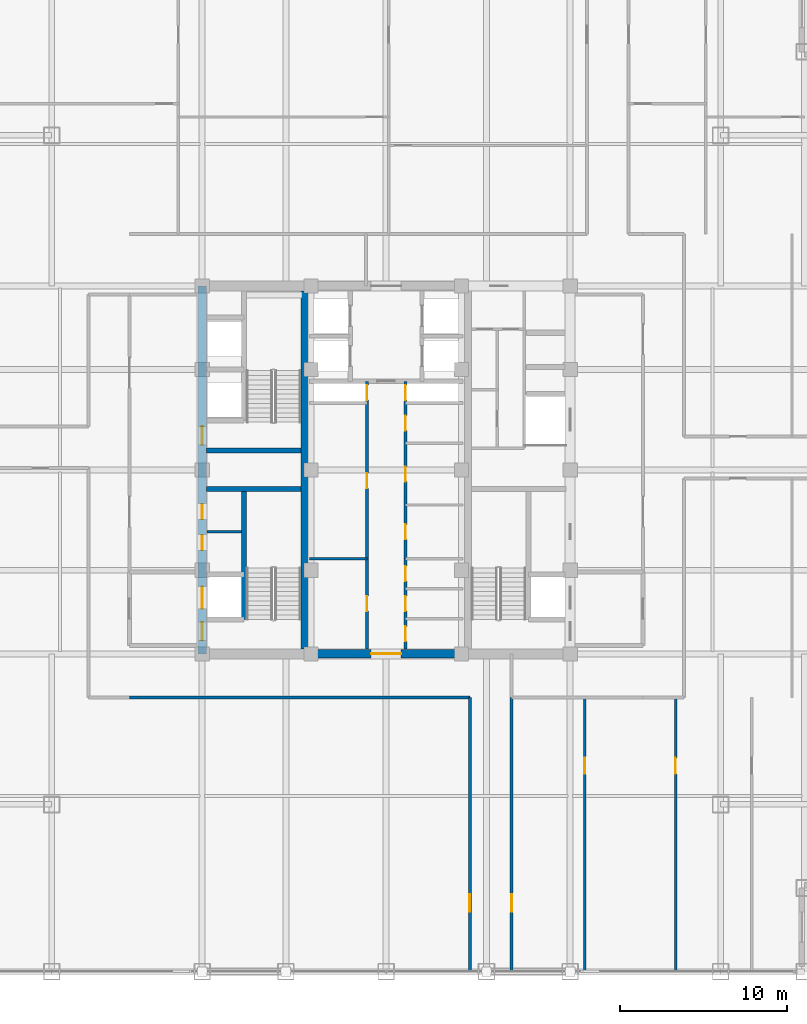
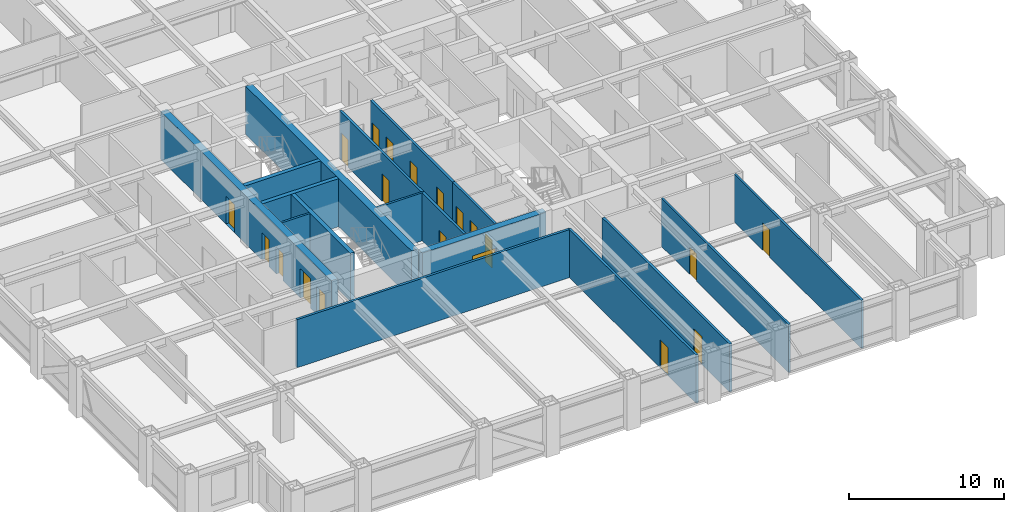
# One storey, part 20 of 25: 20 doors, 17 walls, 20 openings.
"""IFC4 building model written with IfcOpenShell, lengths in metres."""

from ifc_helpers import new_model, si_unit, direction, frame, frame_2d, origin, place, context, subcontext, project, spatial, rectangle, extrude, source, transform, mapped, material, layer, layer_set, type_object, element, fill, save


model = new_model("IFC4")

# Units and contexts
model_context = context("Model", 3, precision=1e-05, world=origin(), true_north=direction((0.0, 1.0)))
body_context = subcontext(model_context, "Body", "Model", "MODEL_VIEW")
ifc_project = project(units=[si_unit("LENGTHUNIT", "METRE"), si_unit("AREAUNIT", "SQUARE_METRE"), si_unit("VOLUMEUNIT", "CUBIC_METRE"), si_unit("PLANEANGLEUNIT", "RADIAN"), si_unit("MASSUNIT", "GRAM", prefix="KILO")], contexts=[model_context])

# Site, building, storey
site_placement = place(None, origin())
site = spatial("IfcSite", under=ifc_project, at=site_placement, CompositionType="ELEMENT")
building_placement = place(site_placement, origin())
building = spatial("IfcBuilding", under=site, at=building_placement, Name="Khorayat Bourse Tower", CompositionType="ELEMENT")
storey_placement = place(building_placement, frame((0.0, 0.0, 223.10009765625)))
storey = spatial("IfcBuildingStorey", under=building, at=storey_placement, Name="L52", CompositionType="ELEMENT", Elevation=223.10009765625)

# Wall
ifc_material_1 = material(Name="Concrete C52/65", Category="concrete")
ifc_layer_1 = layer(ifc_material_1, 0.5)
ifc_layer_set_1 = layer_set([ifc_layer_1], Name="Concrete C52/65")
wall_type_1 = type_object("IfcWallType", Name="WAL-CORE-500", PredefinedType="SHEAR", material=ifc_layer_set_1)
shared_shape_1 = source(origin(), body_context, "Body", "SweptSolid", [
    extrude(rectangle(XDim=21.39990234375, YDim=0.5, at=frame_2d((10.699951171875, 0.0))), origin(), (0.0, 0.0, 1.0), 3.77978515625),
])
wall_1_placement = place(storey_placement, frame((-4.85009765625, -10.699951171875, 0.0), z_axis=(0.0, 0.0, 1.0), x_axis=(0.0, 1.0, 0.0)))
element("IfcWall", 1, at=wall_1_placement, inside=storey, type_object=wall_type_1, Name="L52 Core Shear Wall PIER-W", PredefinedType="SHEAR", context=body_context, shape_type="MappedRepresentation", body=[
    mapped(shared_shape_1, transform((0.0, 0.0, 0.0), scale=1.0)),
])

# Wall, opening, door
shared_shape_2 = source(origin(), body_context, "Body", "SweptSolid", [
    extrude(rectangle(XDim=9.2001953125, YDim=0.5, at=frame_2d((4.60009765625, 0.0))), origin(), (0.0, 0.0, 1.0), 3.77978515625),
])
wall_2_placement = place(storey_placement, frame((-4.60009765625, -11.0, 0.0), z_axis=(0.0, 0.0, 1.0), x_axis=(1.0, 0.0, 0.0)))
wall_2 = element("IfcWall", 2, at=wall_2_placement, inside=storey, type_object=wall_type_1, Name="L52 Core Shear Wall CORE-S", PredefinedType="SHEAR", context=body_context, shape_type="MappedRepresentation", body=[
    mapped(shared_shape_2, transform((0.0, 0.0, 0.0), scale=1.0)),
])
shared_shape_3 = source(origin(), body_context, "Body", "SweptSolid", [
    extrude(rectangle(XDim=1.800048828125, YDim=2.25, at=frame_2d((0.89990234375, 1.125))), frame((0.0, 0.260009765625, 0.0), z_axis=(0.0, -1.0, 0.0), x_axis=(1.0, 0.0, 0.0)), (0.0, 0.0, 1.0), 0.52001953125),
])
opening_1_placement = place(wall_2_placement, frame((3.699951171875, 0.0, 0.0)))
opening_1 = element("IfcOpeningElement", 3, at=opening_1_placement, cuts=wall_2, Name="Opening DI-03", PredefinedType="OPENING", context=body_context, shape_type="MappedRepresentation", body=[
    mapped(shared_shape_3, transform((0.0, 0.0, 0.0), scale=1.0)),
])
ifc_material_2 = material(Name="Fire-rated hardwood vision-panel double leaf", Category="wood")
door_type_1 = type_object("IfcDoorType", Name="DR-INT-CORR-1800", OperationType="NOTDEFINED", PredefinedType="DOOR", material=ifc_material_2)
shared_shape_4 = source(origin(), body_context, "Body", "SweptSolid", [
    extrude(rectangle(XDim=1.800048828125, YDim=2.25, at=frame_2d((0.89990234375, 1.125))), frame((0.0, 0.02490234375, 0.0), z_axis=(0.0, -1.0, 0.0), x_axis=(1.0, 0.0, 0.0)), (0.0, 0.0, 1.0), 0.050048828125),
])
door_1_placement = place(opening_1_placement, origin())
door_1 = element("IfcDoor", 4, at=door_1_placement, inside=storey, type_object=door_type_1, Name="L52 Central Core South Passage Door", OperationType="SINGLE_SWING_LEFT", OverallHeight=2.25, OverallWidth=1.800048828125, PredefinedType="DOOR", context=body_context, shape_type="MappedRepresentation", body=[
    mapped(shared_shape_4, transform((0.0, 0.0, 0.0), scale=1.0)),
])
fill(opening_1, door_1)

# Wall, openings, doors
shared_shape_5 = source(origin(), body_context, "Body", "SweptSolid", [
    extrude(rectangle(XDim=22.0, YDim=0.5, at=frame_2d((11.0, 0.0))), origin(), (0.0, 0.0, 1.0), 3.77978515625),
])
wall_3_placement = place(storey_placement, frame((-11.0, -11.0, 0.0), z_axis=(0.0, 0.0, 1.0), x_axis=(0.0, 1.0, 0.0)))
wall_3 = element("IfcWall", 5, at=wall_3_placement, inside=storey, type_object=wall_type_1, Name="L52 Core Shear Wall CORE-W", PredefinedType="SHEAR", context=body_context, shape_type="MappedRepresentation", body=[
    mapped(shared_shape_5, transform((0.0, 0.0, 0.0), scale=1.0)),
])
shared_shape_6 = source(origin(), body_context, "Body", "SweptSolid", [
    extrude(rectangle(XDim=1.10009765625, YDim=2.199951171875, at=frame_2d((0.550048828125, 1.10009765625))), frame((0.0, 0.260009765625, 0.0), z_axis=(0.0, -1.0, 0.0), x_axis=(1.0, 0.0, 0.0)), (0.0, 0.0, 1.0), 0.52001953125),
])
opening_2_placement = place(wall_3_placement, frame((0.800048828125, 0.0, 0.0)))
opening_2 = element("IfcOpeningElement", 6, at=opening_2_placement, cuts=wall_3, Name="Opening DI-01", PredefinedType="OPENING", context=body_context, shape_type="MappedRepresentation", body=[
    mapped(shared_shape_6, transform((0.0, 0.0, 0.0), scale=1.0)),
])
opening_3_placement = place(wall_3_placement, frame((12.5, 0.0, 0.0)))
opening_3 = element("IfcOpeningElement", 7, at=opening_3_placement, cuts=wall_3, Name="Opening DI-01", PredefinedType="OPENING", context=body_context, shape_type="MappedRepresentation", body=[
    mapped(shared_shape_6, transform((0.0, 0.0, 0.0), scale=1.0)),
])
shared_shape_7 = source(origin(), body_context, "Body", "SweptSolid", [
    extrude(rectangle(XDim=0.89990234375, YDim=2.14990234375, at=frame_2d((0.449951171875, 1.074951171875))), frame((0.0, 0.260009765625, 0.0), z_axis=(0.0, -1.0, 0.0), x_axis=(1.0, 0.0, 0.0)), (0.0, 0.0, 1.0), 0.52001953125),
])
opening_4_placement = place(wall_3_placement, frame((6.199951171875, 0.0, 0.0)))
opening_4 = element("IfcOpeningElement", 8, at=opening_4_placement, cuts=wall_3, Name="Opening DI-06", PredefinedType="OPENING", context=body_context, shape_type="MappedRepresentation", body=[
    mapped(shared_shape_7, transform((0.0, 0.0, 0.0), scale=1.0)),
])
opening_5_placement = place(wall_3_placement, frame((8.050048828125, 0.0, 0.0)))
opening_5 = element("IfcOpeningElement", 9, at=opening_5_placement, cuts=wall_3, Name="Opening DI-06", PredefinedType="OPENING", context=body_context, shape_type="MappedRepresentation", body=[
    mapped(shared_shape_7, transform((0.0, 0.0, 0.0), scale=1.0)),
])
shared_shape_8 = source(origin(), body_context, "Body", "SweptSolid", [
    extrude(rectangle(XDim=1.300048828125, YDim=2.300048828125, at=frame_2d((0.64990234375, 1.14990234375))), frame((0.0, 0.260009765625, 0.0), z_axis=(0.0, -1.0, 0.0), x_axis=(1.0, 0.0, 0.0)), (0.0, 0.0, 1.0), 0.52001953125),
])
opening_6_placement = place(wall_3_placement, frame((2.699951171875, 0.0, 0.0)))
opening_6 = element("IfcOpeningElement", 10, at=opening_6_placement, cuts=wall_3, Name="Opening LD-02", PredefinedType="OPENING", context=body_context, shape_type="MappedRepresentation", body=[
    mapped(shared_shape_8, transform((0.0, 0.0, 0.0), scale=1.0)),
])
ifc_material_3 = material(Name="Fire-rated steel acoustic leaf", Category="steel")
door_type_2 = type_object("IfcDoorType", Name="DR-INT-STAIR-1100", OperationType="NOTDEFINED", PredefinedType="DOOR", material=ifc_material_3)
shared_shape_9 = source(origin(), body_context, "Body", "SweptSolid", [
    extrude(rectangle(XDim=1.10009765625, YDim=2.199951171875, at=frame_2d((0.550048828125, 1.10009765625))), frame((0.0, 0.02490234375, 0.0), z_axis=(0.0, -1.0, 0.0), x_axis=(1.0, 0.0, 0.0)), (0.0, 0.0, 1.0), 0.050048828125),
])
door_2_placement = place(opening_2_placement, origin())
door_2 = element("IfcDoor", 11, at=door_2_placement, inside=storey, type_object=door_type_2, Name="L52 Exit Stair 1 Door", OperationType="SINGLE_SWING_RIGHT", OverallHeight=2.199951171875, OverallWidth=1.10009765625, PredefinedType="DOOR", context=body_context, shape_type="MappedRepresentation", body=[
    mapped(shared_shape_9, transform((0.0, 0.0, 0.0), scale=1.0)),
])
fill(opening_2, door_2)
door_3_placement = place(opening_3_placement, origin())
door_3 = element("IfcDoor", 12, at=door_3_placement, inside=storey, type_object=door_type_2, Name="L52 Exit Stair 2 Door", OperationType="SINGLE_SWING_RIGHT", OverallHeight=2.199951171875, OverallWidth=1.10009765625, PredefinedType="DOOR", context=body_context, shape_type="MappedRepresentation", body=[
    mapped(shared_shape_9, transform((0.0, 0.0, 0.0), scale=1.0)),
])
fill(opening_3, door_3)
ifc_material_4 = material(Name="Moisture-resistant laminate washroom door")
door_type_3 = type_object("IfcDoorType", Name="DR-INT-WC-900", OperationType="NOTDEFINED", PredefinedType="DOOR", material=ifc_material_4)
shared_shape_10 = source(origin(), body_context, "Body", "SweptSolid", [
    extrude(rectangle(XDim=0.89990234375, YDim=2.14990234375, at=frame_2d((0.449951171875, 1.074951171875))), frame((0.0, 0.02490234375, 0.0), z_axis=(0.0, -1.0, 0.0), x_axis=(1.0, 0.0, 0.0)), (0.0, 0.0, 1.0), 0.050048828125),
])
door_4_placement = place(opening_4_placement, origin())
door_4 = element("IfcDoor", 13, at=door_4_placement, inside=storey, type_object=door_type_3, Name="L52 Electrical Plant Room Door", OperationType="SINGLE_SWING_RIGHT", OverallHeight=2.14990234375, OverallWidth=0.89990234375, PredefinedType="DOOR", context=body_context, shape_type="MappedRepresentation", body=[
    mapped(shared_shape_10, transform((0.0, 0.0, 0.0), scale=1.0)),
])
fill(opening_4, door_4)
door_5_placement = place(opening_5_placement, origin())
door_5 = element("IfcDoor", 14, at=door_5_placement, inside=storey, type_object=door_type_3, Name="L52 Cleaner Storage Room Door", OperationType="SINGLE_SWING_LEFT", OverallHeight=2.14990234375, OverallWidth=0.89990234375, PredefinedType="DOOR", context=body_context, shape_type="MappedRepresentation", body=[
    mapped(shared_shape_10, transform((0.0, 0.0, 0.0), scale=1.0)),
])
fill(opening_5, door_5)
ifc_material_5 = material(Name="Fire-rated stainless-steel sliding landing door", Category="steel")
door_type_4 = type_object("IfcDoorType", Name="DR-LIFT-FF-1300", OperationType="NOTDEFINED", PredefinedType="DOOR", material=ifc_material_5)
shared_shape_11 = source(origin(), body_context, "Body", "SweptSolid", [
    extrude(rectangle(XDim=1.300048828125, YDim=2.300048828125, at=frame_2d((0.64990234375, 1.14990234375))), frame((0.0, 0.02490234375, 0.0), z_axis=(0.0, -1.0, 0.0), x_axis=(1.0, 0.0, 0.0)), (0.0, 0.0, 1.0), 0.050048828125),
])
door_6_placement = place(opening_6_placement, origin())
door_6 = element("IfcDoor", 15, at=door_6_placement, inside=storey, type_object=door_type_4, Name="L52 Lift FFL-01 Sliding Landing Door", OperationType="SLIDING_TO_LEFT", OverallHeight=2.300048828125, OverallWidth=1.300048828125, PredefinedType="DOOR", context=body_context, shape_type="MappedRepresentation", body=[
    mapped(shared_shape_11, transform((0.0, 0.0, 0.0), scale=1.0)),
])
fill(opening_6, door_6)

# Walls
ifc_material_6 = material(Name="Concrete C50/60", Category="concrete")
ifc_layer_2 = layer(ifc_material_6, 0.300048828125)
ifc_layer_set_2 = layer_set([ifc_layer_2], Name="Concrete C50/60")
wall_type_2 = type_object("IfcWallType", Name="WAL-SHAFT-300", PredefinedType="SHEAR", material=ifc_layer_set_2)
shared_shape_12 = source(origin(), body_context, "Body", "SweptSolid", [
    extrude(rectangle(XDim=5.64990234375, YDim=0.300048828125, at=frame_2d((2.824951171875, 0.0))), origin(), (0.0, 0.0, 1.0), 3.77978515625),
])
for number, where, z_axis, x_axis, name in (
    (16, (-10.75, -1.14990234375, 0.0), (0.0, 0.0, 1.0), (1.0, 0.0, 0.0), "L52 Core Shear Wall ST1-DIV"),
    (17, (-10.75, 1.14990234375, 0.0), (0.0, 0.0, 1.0), (1.0, 0.0, 0.0), "L52 Core Shear Wall ST2-DIV"),
):
    element("IfcWall", number, at=place(storey_placement, frame(where, z_axis=z_axis, x_axis=x_axis)), inside=storey, type_object=wall_type_2, Name=name, PredefinedType="SHEAR", context=body_context, shape_type="MappedRepresentation", body=[
        mapped(shared_shape_12, transform((0.0, 0.0, 0.0), scale=1.0)),
    ])
shared_shape_13 = source(origin(), body_context, "Body", "SweptSolid", [
    extrude(rectangle(XDim=7.800048828125, YDim=0.300048828125, at=frame_2d((3.89990234375, 0.0))), origin(), (0.0, 0.0, 1.0), 3.77978515625),
])
wall_4_placement = place(storey_placement, frame((-8.5, -8.949951171875, 0.0), z_axis=(0.0, 0.0, 1.0), x_axis=(0.0, 1.0, 0.0)))
element("IfcWall", 18, at=wall_4_placement, inside=storey, type_object=wall_type_2, Name="L52 Partition WAL-L52-WPIER-SP", PredefinedType="SHEAR", context=body_context, shape_type="MappedRepresentation", body=[
    mapped(shared_shape_13, transform((0.0, 0.0, 0.0), scale=1.0)),
])
ifc_material_7 = material(Name="Gypsum plasterboard twin-frame partition")
ifc_layer_3 = layer(ifc_material_7, 0.14990234375)
ifc_layer_set_3 = layer_set([ifc_layer_3], Name="Gypsum plasterboard twin-frame partition")
wall_type_3 = type_object("IfcWallType", Name="WAL-PART-SUITE-150", PredefinedType="PARTITIONING", material=ifc_layer_set_3)
shared_shape_14 = source(origin(), body_context, "Body", "SweptSolid", [
    extrude(rectangle(XDim=2.050048828125, YDim=0.14990234375, at=frame_2d((1.02490234375, 0.0))), origin(), (0.0, 0.0, 1.0), 3.77978515625),
])
wall_5_placement = place(storey_placement, frame((-10.699951171875, -3.699951171875, 0.0), z_axis=(0.0, 0.0, 1.0), x_axis=(1.0, 0.0, 0.0)))
element("IfcWall", 19, at=wall_5_placement, inside=storey, type_object=wall_type_3, Name="L52 Partition WAL-L52-WSRV-D1", PredefinedType="PARTITIONING", context=body_context, shape_type="MappedRepresentation", body=[
    mapped(shared_shape_14, transform((0.0, 0.0, 0.0), scale=1.0)),
])
shared_shape_15 = source(origin(), body_context, "Body", "SweptSolid", [
    extrude(rectangle(XDim=3.4501953125, YDim=0.14990234375, at=frame_2d((1.72509765625, 0.0))), origin(), (0.0, 0.0, 1.0), 3.77978515625),
])
wall_6_placement = place(storey_placement, frame((-4.60009765625, -5.300048828125, 0.0), z_axis=(0.0, 0.0, 1.0), x_axis=(1.0, 0.0, 0.0)))
element("IfcWall", 20, at=wall_6_placement, inside=storey, type_object=wall_type_3, Name="L52 Partition WAL-L52-FB1-NW", PredefinedType="PARTITIONING", context=body_context, shape_type="MappedRepresentation", body=[
    mapped(shared_shape_15, transform((0.0, 0.0, 0.0), scale=1.0)),
])

# Wall, opening, door
ifc_material_8 = material(Name="Gypsum plasterboard acoustic stud wall")
ifc_layer_4 = layer(ifc_material_8, 0.179931640625)
ifc_layer_set_4 = layer_set([ifc_layer_4], Name="Gypsum plasterboard acoustic stud wall")
wall_type_4 = type_object("IfcWallType", Name="WAL-PART-CORR-180", PredefinedType="PARTITIONING", material=ifc_layer_set_4)
shared_shape_16 = source(origin(), body_context, "Body", "SweptSolid", [
    extrude(rectangle(XDim=5.39990234375, YDim=0.179931640625, at=frame_2d((2.699951171875, 0.0))), origin(), (0.0, 0.0, 1.0), 3.77978515625),
])
wall_7_placement = place(storey_placement, frame((-1.14990234375, -10.699951171875, 0.0), z_axis=(0.0, 0.0, 1.0), x_axis=(0.0, 1.0, 0.0)))
wall_7 = element("IfcWall", 21, at=wall_7_placement, inside=storey, type_object=wall_type_4, Name="L52 Partition WAL-L52-FB1W-L", PredefinedType="PARTITIONING", context=body_context, shape_type="MappedRepresentation", body=[
    mapped(shared_shape_16, transform((0.0, 0.0, 0.0), scale=1.0)),
])
shared_shape_17 = source(origin(), body_context, "Body", "SweptSolid", [
    extrude(rectangle(XDim=0.89990234375, YDim=2.14990234375, at=frame_2d((0.449951171875, 1.074951171875))), frame((0.0, 0.099853515625, 0.0), z_axis=(0.0, -1.0, 0.0), x_axis=(1.0, 0.0, 0.0)), (0.0, 0.0, 1.0), 0.199951171875),
])
opening_7_placement = place(wall_7_placement, frame((2.25, 0.0, 0.0)))
opening_7 = element("IfcOpeningElement", 22, at=opening_7_placement, cuts=wall_7, Name="Opening DI-06", PredefinedType="OPENING", context=body_context, shape_type="MappedRepresentation", body=[
    mapped(shared_shape_17, transform((0.0, 0.0, 0.0), scale=1.0)),
])
door_7_placement = place(opening_7_placement, origin())
door_7 = element("IfcDoor", 23, at=door_7_placement, inside=storey, type_object=door_type_3, Name="L52 IT Comms Server Plant Room Door", OperationType="SINGLE_SWING_RIGHT", OverallHeight=2.14990234375, OverallWidth=0.89990234375, PredefinedType="DOOR", context=body_context, shape_type="MappedRepresentation", body=[
    mapped(shared_shape_10, transform((0.0, 0.0, 0.0), scale=1.0)),
])
fill(opening_7, door_7)

# Wall, openings, doors
wall_8_placement = place(storey_placement, frame((1.14990234375, -10.699951171875, 0.0), z_axis=(0.0, 0.0, 1.0), x_axis=(0.0, 1.0, 0.0)))
wall_8 = element("IfcWall", 24, at=wall_8_placement, inside=storey, type_object=wall_type_4, Name="L52 Partition WAL-L52-FB1E-L", PredefinedType="PARTITIONING", context=body_context, shape_type="MappedRepresentation", body=[
    mapped(shared_shape_16, transform((0.0, 0.0, 0.0), scale=1.0)),
])
opening_8_placement = place(wall_8_placement, frame((0.449951171875, 0.0, 0.0)))
opening_8 = element("IfcOpeningElement", 25, at=opening_8_placement, cuts=wall_8, Name="Opening DI-06", PredefinedType="OPENING", context=body_context, shape_type="MappedRepresentation", body=[
    mapped(shared_shape_17, transform((0.0, 0.0, 0.0), scale=1.0)),
])
opening_9_placement = place(wall_8_placement, frame((2.25, 0.0, 0.0)))
opening_9 = element("IfcOpeningElement", 26, at=opening_9_placement, cuts=wall_8, Name="Opening DI-06", PredefinedType="OPENING", context=body_context, shape_type="MappedRepresentation", body=[
    mapped(shared_shape_17, transform((0.0, 0.0, 0.0), scale=1.0)),
])
opening_10_placement = place(wall_8_placement, frame((4.050048828125, 0.0, 0.0)))
opening_10 = element("IfcOpeningElement", 27, at=opening_10_placement, cuts=wall_8, Name="Opening DI-06", PredefinedType="OPENING", context=body_context, shape_type="MappedRepresentation", body=[
    mapped(shared_shape_17, transform((0.0, 0.0, 0.0), scale=1.0)),
])
door_8_placement = place(opening_8_placement, origin())
door_8 = element("IfcDoor", 28, at=door_8_placement, inside=storey, type_object=door_type_3, Name="L52 Stationery Store Door", OperationType="SINGLE_SWING_RIGHT", OverallHeight=2.14990234375, OverallWidth=0.89990234375, PredefinedType="DOOR", context=body_context, shape_type="MappedRepresentation", body=[
    mapped(shared_shape_10, transform((0.0, 0.0, 0.0), scale=1.0)),
])
fill(opening_8, door_8)
door_9_placement = place(opening_9_placement, origin())
door_9 = element("IfcDoor", 29, at=door_9_placement, inside=storey, type_object=door_type_3, Name="L52 Meter Closet Door", OperationType="SINGLE_SWING_LEFT", OverallHeight=2.14990234375, OverallWidth=0.89990234375, PredefinedType="DOOR", context=body_context, shape_type="MappedRepresentation", body=[
    mapped(shared_shape_10, transform((0.0, 0.0, 0.0), scale=1.0)),
])
fill(opening_9, door_9)
door_10_placement = place(opening_10_placement, origin())
door_10 = element("IfcDoor", 30, at=door_10_placement, inside=storey, type_object=door_type_3, Name="L52 Print Room Door", OperationType="SINGLE_SWING_RIGHT", OverallHeight=2.14990234375, OverallWidth=0.89990234375, PredefinedType="DOOR", context=body_context, shape_type="MappedRepresentation", body=[
    mapped(shared_shape_10, transform((0.0, 0.0, 0.0), scale=1.0)),
])
fill(opening_10, door_10)

shared_shape_18 = source(origin(), body_context, "Body", "SweptSolid", [
    extrude(rectangle(XDim=10.60009765625, YDim=0.179931640625, at=frame_2d((5.300048828125, 0.0))), origin(), (0.0, 0.0, 1.0), 3.77978515625),
])
wall_9_placement = place(storey_placement, frame((-1.14990234375, -5.300048828125, 0.0), z_axis=(0.0, 0.0, 1.0), x_axis=(0.0, 1.0, 0.0)))
wall_9 = element("IfcWall", 31, at=wall_9_placement, inside=storey, type_object=wall_type_4, Name="L52 Partition WAL-L52-CMW-L", PredefinedType="PARTITIONING", context=body_context, shape_type="MappedRepresentation", body=[
    mapped(shared_shape_18, transform((0.0, 0.0, 0.0), scale=1.0)),
])
opening_11_placement = place(wall_9_placement, frame((4.199951171875, 0.0, 0.0)))
opening_11 = element("IfcOpeningElement", 32, at=opening_11_placement, cuts=wall_9, Name="Opening DI-06", PredefinedType="OPENING", context=body_context, shape_type="MappedRepresentation", body=[
    mapped(shared_shape_17, transform((0.0, 0.0, 0.0), scale=1.0)),
])
opening_12_placement = place(wall_9_placement, frame((9.47509765625, 0.0, 0.0)))
opening_12 = element("IfcOpeningElement", 33, at=opening_12_placement, cuts=wall_9, Name="Opening DI-06", PredefinedType="OPENING", context=body_context, shape_type="MappedRepresentation", body=[
    mapped(shared_shape_17, transform((0.0, 0.0, 0.0), scale=1.0)),
])
door_11_placement = place(opening_11_placement, origin())
door_11 = element("IfcDoor", 34, at=door_11_placement, inside=storey, type_object=door_type_3, Name="L52 Male Core Washroom Door", OperationType="SINGLE_SWING_RIGHT", OverallHeight=2.14990234375, OverallWidth=0.89990234375, PredefinedType="DOOR", context=body_context, shape_type="MappedRepresentation", body=[
    mapped(shared_shape_10, transform((0.0, 0.0, 0.0), scale=1.0)),
])
fill(opening_11, door_11)
door_12_placement = place(opening_12_placement, origin())
door_12 = element("IfcDoor", 35, at=door_12_placement, inside=storey, type_object=door_type_3, Name="L52 West Core Riser Door", OperationType="SINGLE_SWING_LEFT", OverallHeight=2.14990234375, OverallWidth=0.89990234375, PredefinedType="DOOR", context=body_context, shape_type="MappedRepresentation", body=[
    mapped(shared_shape_10, transform((0.0, 0.0, 0.0), scale=1.0)),
])
fill(opening_12, door_12)

wall_10_placement = place(storey_placement, frame((1.14990234375, -5.300048828125, 0.0), z_axis=(0.0, 0.0, 1.0), x_axis=(0.0, 1.0, 0.0)))
wall_10 = element("IfcWall", 36, at=wall_10_placement, inside=storey, type_object=wall_type_4, Name="L52 Partition WAL-L52-CME-L", PredefinedType="PARTITIONING", context=body_context, shape_type="MappedRepresentation", body=[
    mapped(shared_shape_18, transform((0.0, 0.0, 0.0), scale=1.0)),
])
opening_13_placement = place(wall_10_placement, frame((1.14990234375, 0.0, 0.0)))
opening_13 = element("IfcOpeningElement", 37, at=opening_13_placement, cuts=wall_10, Name="Opening DI-06", PredefinedType="OPENING", context=body_context, shape_type="MappedRepresentation", body=[
    mapped(shared_shape_17, transform((0.0, 0.0, 0.0), scale=1.0)),
])
opening_14_placement = place(wall_10_placement, frame((4.60009765625, 0.0, 0.0)))
opening_14 = element("IfcOpeningElement", 38, at=opening_14_placement, cuts=wall_10, Name="Opening DI-06", PredefinedType="OPENING", context=body_context, shape_type="MappedRepresentation", body=[
    mapped(shared_shape_17, transform((0.0, 0.0, 0.0), scale=1.0)),
])
opening_15_placement = place(wall_10_placement, frame((7.64990234375, 0.0, 0.0)))
opening_15 = element("IfcOpeningElement", 39, at=opening_15_placement, cuts=wall_10, Name="Opening DI-06", PredefinedType="OPENING", context=body_context, shape_type="MappedRepresentation", body=[
    mapped(shared_shape_17, transform((0.0, 0.0, 0.0), scale=1.0)),
])
opening_16_placement = place(wall_10_placement, frame((9.47509765625, 0.0, 0.0)))
opening_16 = element("IfcOpeningElement", 40, at=opening_16_placement, cuts=wall_10, Name="Opening DI-06", PredefinedType="OPENING", context=body_context, shape_type="MappedRepresentation", body=[
    mapped(shared_shape_17, transform((0.0, 0.0, 0.0), scale=1.0)),
])
door_13_placement = place(opening_13_placement, origin())
door_13 = element("IfcDoor", 41, at=door_13_placement, inside=storey, type_object=door_type_3, Name="L52 Female Core Washroom Door", OperationType="SINGLE_SWING_RIGHT", OverallHeight=2.14990234375, OverallWidth=0.89990234375, PredefinedType="DOOR", context=body_context, shape_type="MappedRepresentation", body=[
    mapped(shared_shape_10, transform((0.0, 0.0, 0.0), scale=1.0)),
])
fill(opening_13, door_13)
door_14_placement = place(opening_14_placement, origin())
door_14 = element("IfcDoor", 42, at=door_14_placement, inside=storey, type_object=door_type_3, Name="L52 Cleaners Store Door", OperationType="SINGLE_SWING_LEFT", OverallHeight=2.14990234375, OverallWidth=0.89990234375, PredefinedType="DOOR", context=body_context, shape_type="MappedRepresentation", body=[
    mapped(shared_shape_10, transform((0.0, 0.0, 0.0), scale=1.0)),
])
fill(opening_14, door_14)
door_15_placement = place(opening_15_placement, origin())
door_15 = element("IfcDoor", 43, at=door_15_placement, inside=storey, type_object=door_type_3, Name="L52 Meter and BMS Plant Room Door", OperationType="SINGLE_SWING_RIGHT", OverallHeight=2.14990234375, OverallWidth=0.89990234375, PredefinedType="DOOR", context=body_context, shape_type="MappedRepresentation", body=[
    mapped(shared_shape_10, transform((0.0, 0.0, 0.0), scale=1.0)),
])
fill(opening_15, door_15)
door_16_placement = place(opening_16_placement, origin())
door_16 = element("IfcDoor", 44, at=door_16_placement, inside=storey, type_object=door_type_3, Name="L52 East Core Riser Door", OperationType="SINGLE_SWING_RIGHT", OverallHeight=2.14990234375, OverallWidth=0.89990234375, PredefinedType="DOOR", context=body_context, shape_type="MappedRepresentation", body=[
    mapped(shared_shape_10, transform((0.0, 0.0, 0.0), scale=1.0)),
])
fill(opening_16, door_16)

# Wall, opening, door
shared_shape_19 = source(origin(), body_context, "Body", "SweptSolid", [
    extrude(rectangle(XDim=16.39990234375, YDim=0.14990234375, at=frame_2d((8.199951171875, 0.0))), origin(), (0.0, 0.0, 1.0), 3.77978515625),
])
wall_11_placement = place(storey_placement, frame((11.875, -30.0, 0.0), z_axis=(0.0, 0.0, 1.0), x_axis=(0.0, 1.0, 0.0)))
wall_11 = element("IfcWall", 45, at=wall_11_placement, inside=storey, type_object=wall_type_3, Name="L52 Partition WAL-L52-QSEDV-1", PredefinedType="PARTITIONING", context=body_context, shape_type="MappedRepresentation", body=[
    mapped(shared_shape_19, transform((0.0, 0.0, 0.0), scale=1.0)),
])
shared_shape_20 = source(origin(), body_context, "Body", "SweptSolid", [
    extrude(rectangle(XDim=0.949951171875, YDim=2.14990234375, at=frame_2d((0.47509765625, 1.074951171875))), frame((0.0, 0.0849609375, 0.0), z_axis=(0.0, -1.0, 0.0), x_axis=(1.0, 0.0, 0.0)), (0.0, 0.0, 1.0), 0.169921875),
])
opening_17_placement = place(wall_11_placement, frame((11.824951171875, 0.0, 0.0)))
opening_17 = element("IfcOpeningElement", 46, at=opening_17_placement, cuts=wall_11, Name="Opening DI-05", PredefinedType="OPENING", context=body_context, shape_type="MappedRepresentation", body=[
    mapped(shared_shape_20, transform((0.0, 0.0, 0.0), scale=1.0)),
])
ifc_material_9 = material(Name="Acoustic oak veneer office door")
door_type_5 = type_object("IfcDoorType", Name="DR-INT-OFFICE-950", OperationType="NOTDEFINED", PredefinedType="DOOR", material=ifc_material_9)
shared_shape_21 = source(origin(), body_context, "Body", "SweptSolid", [
    extrude(rectangle(XDim=0.949951171875, YDim=2.14990234375, at=frame_2d((0.47509765625, 1.074951171875))), frame((0.0, 0.02490234375, 0.0), z_axis=(0.0, -1.0, 0.0), x_axis=(1.0, 0.0, 0.0)), (0.0, 0.0, 1.0), 0.050048828125),
])
door_17_placement = place(opening_17_placement, origin())
door_17 = element("IfcDoor", 47, at=door_17_placement, inside=storey, type_object=door_type_5, Name="L52 South-East Suite Link 1", OperationType="SINGLE_SWING_RIGHT", OverallHeight=2.14990234375, OverallWidth=0.949951171875, PredefinedType="DOOR", context=body_context, shape_type="MappedRepresentation", body=[
    mapped(shared_shape_21, transform((0.0, 0.0, 0.0), scale=1.0)),
])
fill(opening_17, door_17)

wall_12_placement = place(storey_placement, frame((17.300048828125, -30.0, 0.0), z_axis=(0.0, 0.0, 1.0), x_axis=(0.0, 1.0, 0.0)))
wall_12 = element("IfcWall", 48, at=wall_12_placement, inside=storey, type_object=wall_type_3, Name="L52 Partition WAL-L52-QSEDV-2", PredefinedType="PARTITIONING", context=body_context, shape_type="MappedRepresentation", body=[
    mapped(shared_shape_19, transform((0.0, 0.0, 0.0), scale=1.0)),
])
opening_18_placement = place(wall_12_placement, frame((11.824951171875, 0.0, 0.0)))
opening_18 = element("IfcOpeningElement", 49, at=opening_18_placement, cuts=wall_12, Name="Opening DI-05", PredefinedType="OPENING", context=body_context, shape_type="MappedRepresentation", body=[
    mapped(shared_shape_20, transform((0.0, 0.0, 0.0), scale=1.0)),
])
door_18_placement = place(opening_18_placement, origin())
door_18 = element("IfcDoor", 50, at=door_18_placement, inside=storey, type_object=door_type_5, Name="L52 South-East Suite Link 2", OperationType="SINGLE_SWING_LEFT", OverallHeight=2.14990234375, OverallWidth=0.949951171875, PredefinedType="DOOR", context=body_context, shape_type="MappedRepresentation", body=[
    mapped(shared_shape_21, transform((0.0, 0.0, 0.0), scale=1.0)),
])
fill(opening_18, door_18)

shared_shape_22 = source(origin(), body_context, "Body", "SweptSolid", [
    extrude(rectangle(XDim=16.39990234375, YDim=0.179931640625, at=frame_2d((8.199951171875, 0.0))), origin(), (0.0, 0.0, 1.0), 3.77978515625),
])
wall_13_placement = place(storey_placement, frame((5.0, -30.0, 0.0), z_axis=(0.0, 0.0, 1.0), x_axis=(0.0, 1.0, 0.0)))
wall_13 = element("IfcWall", 51, at=wall_13_placement, inside=storey, type_object=wall_type_4, Name="L52 Partition WAL-L52-QSW-SPK", PredefinedType="PARTITIONING", context=body_context, shape_type="MappedRepresentation", body=[
    mapped(shared_shape_22, transform((0.0, 0.0, 0.0), scale=1.0)),
])
shared_shape_23 = source(origin(), body_context, "Body", "SweptSolid", [
    extrude(rectangle(XDim=1.050048828125, YDim=2.199951171875, at=frame_2d((0.52490234375, 1.10009765625))), frame((0.0, 0.099853515625, 0.0), z_axis=(0.0, -1.0, 0.0), x_axis=(1.0, 0.0, 0.0)), (0.0, 0.0, 1.0), 0.199951171875),
])
opening_19_placement = place(wall_13_placement, frame((3.574951171875, 0.0, 0.0)))
opening_19 = element("IfcOpeningElement", 52, at=opening_19_placement, cuts=wall_13, Name="Opening DI-04", PredefinedType="OPENING", context=body_context, shape_type="MappedRepresentation", body=[
    mapped(shared_shape_23, transform((0.0, 0.0, 0.0), scale=1.0)),
])
ifc_material_10 = material(Name="Fire-rated oak veneer suite entrance door")
door_type_6 = type_object("IfcDoorType", Name="DR-INT-SUITE-1050", OperationType="NOTDEFINED", PredefinedType="DOOR", material=ifc_material_10)
shared_shape_24 = source(origin(), body_context, "Body", "SweptSolid", [
    extrude(rectangle(XDim=1.050048828125, YDim=2.199951171875, at=frame_2d((0.52490234375, 1.10009765625))), frame((0.0, 0.02490234375, 0.0), z_axis=(0.0, -1.0, 0.0), x_axis=(1.0, 0.0, 0.0)), (0.0, 0.0, 1.0), 0.050048828125),
])
door_19_placement = place(opening_19_placement, origin())
door_19 = element("IfcDoor", 53, at=door_19_placement, inside=storey, type_object=door_type_6, Name="L52 South-West Radial Spoke Entry", OperationType="SINGLE_SWING_LEFT", OverallHeight=2.199951171875, OverallWidth=1.050048828125, PredefinedType="DOOR", context=body_context, shape_type="MappedRepresentation", body=[
    mapped(shared_shape_24, transform((0.0, 0.0, 0.0), scale=1.0)),
])
fill(opening_19, door_19)

wall_14_placement = place(storey_placement, frame((7.5, -30.0, 0.0), z_axis=(0.0, 0.0, 1.0), x_axis=(0.0, 1.0, 0.0)))
wall_14 = element("IfcWall", 54, at=wall_14_placement, inside=storey, type_object=wall_type_4, Name="L52 Partition WAL-L52-QSE-SPK", PredefinedType="PARTITIONING", context=body_context, shape_type="MappedRepresentation", body=[
    mapped(shared_shape_22, transform((0.0, 0.0, 0.0), scale=1.0)),
])
opening_20_placement = place(wall_14_placement, frame((3.574951171875, 0.0, 0.0)))
opening_20 = element("IfcOpeningElement", 55, at=opening_20_placement, cuts=wall_14, Name="Opening DI-04", PredefinedType="OPENING", context=body_context, shape_type="MappedRepresentation", body=[
    mapped(shared_shape_23, transform((0.0, 0.0, 0.0), scale=1.0)),
])
door_20_placement = place(opening_20_placement, origin())
door_20 = element("IfcDoor", 56, at=door_20_placement, inside=storey, type_object=door_type_6, Name="L52 South-East Radial Spoke Entry", OperationType="SINGLE_SWING_LEFT", OverallHeight=2.199951171875, OverallWidth=1.050048828125, PredefinedType="DOOR", context=body_context, shape_type="MappedRepresentation", body=[
    mapped(shared_shape_24, transform((0.0, 0.0, 0.0), scale=1.0)),
])
fill(opening_20, door_20)

# Wall
shared_shape_25 = source(origin(), body_context, "Body", "SweptSolid", [
    extrude(rectangle(XDim=20.35009765625, YDim=0.179931640625, at=frame_2d((10.175048828125, 0.0))), origin(), (0.0, 0.0, 1.0), 3.77978515625),
])
wall_15_placement = place(storey_placement, frame((-15.35009765625, -13.60009765625, 0.0), z_axis=(0.0, 0.0, 1.0), x_axis=(1.0, 0.0, 0.0)))
element("IfcWall", 57, at=wall_15_placement, inside=storey, type_object=wall_type_4, Name="L52 Partition WAL-L52-QSW-HC", PredefinedType="PARTITIONING", context=body_context, shape_type="MappedRepresentation", body=[
    mapped(shared_shape_25, transform((0.0, 0.0, 0.0), scale=1.0)),
])

save(model, "model.ifc")
